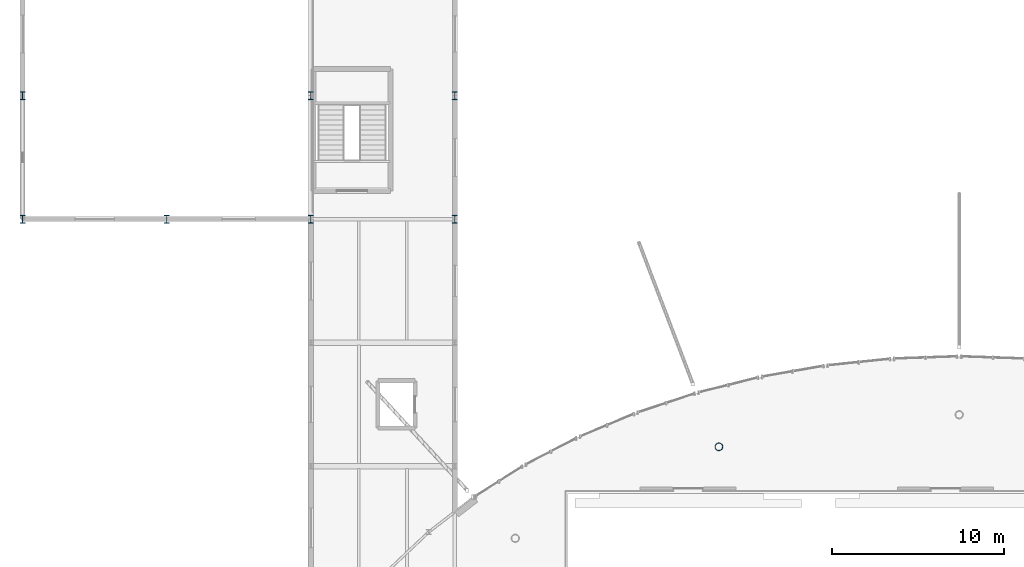
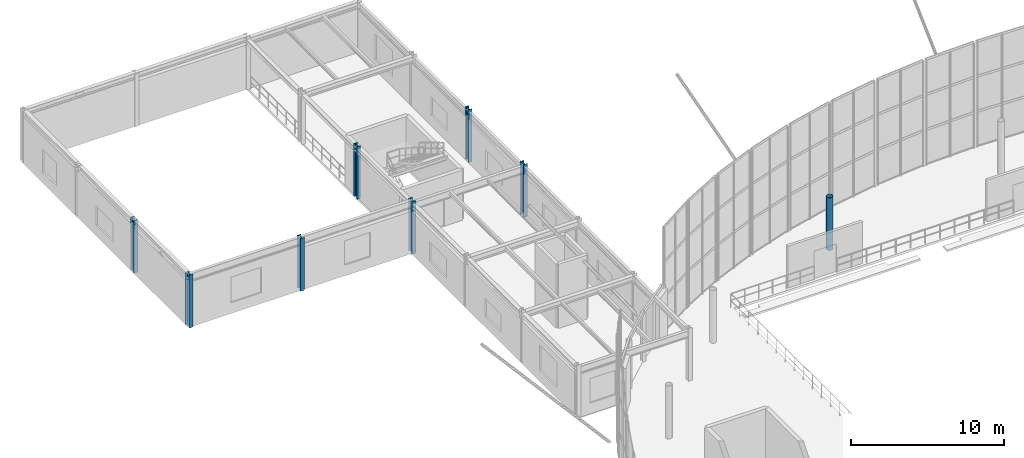
# One storey, part 9 of 109: 8 columns.
"""IFC4 building model written with IfcOpenShell, lengths in metres."""

from ifc_helpers import new_model, si_unit, derived_unit, direction, frame, origin, origin_2d, place, context, subcontext, project, spatial, hollow_circle, i_section, extrude, material, material_profile, profile_set, type_object, element, save


model = new_model("IFC4")

# Units and contexts
model_context = context("Model", 3, precision=1e-05, world=origin(), true_north=direction((0.0, 1.0)))
body_context = subcontext(model_context, "Body", "Model", "MODEL_VIEW")
ifc_project = project(units=[si_unit("LENGTHUNIT", "METRE"), si_unit("AREAUNIT", "SQUARE_METRE"), si_unit("VOLUMEUNIT", "CUBIC_METRE"), si_unit("PLANEANGLEUNIT", "RADIAN"), si_unit("MASSUNIT", "GRAM", prefix="KILO"), derived_unit("THERMALTRANSMITTANCEUNIT", [(si_unit("MASSUNIT", "GRAM", prefix="KILO"), 1), (si_unit("TIMEUNIT", "SECOND"), -3), (si_unit("THERMODYNAMICTEMPERATUREUNIT", "KELVIN"), -1)])], contexts=[model_context])

# Site, building, storey
site_placement = place(None, origin())
site = spatial("IfcSite", under=ifc_project, at=site_placement, CompositionType="ELEMENT")
building_placement = place(site_placement, origin())
building = spatial("IfcBuilding", under=site, at=building_placement, Name="Kharveza Railside Sports Centre", CompositionType="ELEMENT")
storey_placement = place(building_placement, frame((0.0, 0.0, 4.5)))
storey = spatial("IfcBuildingStorey", under=building, at=storey_placement, Name="L01", CompositionType="ELEMENT", Elevation=4.5)

# Columns
ifc_material = material(Name="Steel S355J2", Category="steel")
ifc_material_profile_1 = material_profile(ifc_material, i_section(OverallWidth=0.300048828125, OverallDepth=0.449951171875, WebThickness=0.013916015625, FlangeThickness=0.02587890625, FilletRadius=0.027099609375, at=origin_2d()), Name="HEB 450")
ifc_profile_set_1 = profile_set([ifc_material_profile_1], Name="Steel S355J2")
column_type_1 = type_object("IfcColumnType", Name="COL-S04", PredefinedType="COLUMN", material=ifc_profile_set_1)
for number, where, z_axis, x_axis, name in (
    (1, (0.0, 86.39990234375, 0.0), (0.0, 0.0, 1.0), (1.0, 0.0, 0.0), "COL-G-C04-X0-Y864-L01"),
    (2, (0.0, 93.60009765625, 0.0), (0.0, 0.0, 1.0), (1.0, 0.0, 0.0), "COL-G-C04-X0-Y936-L01"),
    (3, (8.39990234375, 86.39990234375, 0.0), (0.0, 0.0, 1.0), (1.0, 0.0, 0.0), "COL-G-C04-X84-Y864-L01"),
    (4, (16.800048828125, 86.39990234375, 0.0), (0.0, 0.0, 1.0), (1.0, 0.0, 0.0), "COL-G-C04-X168-Y864-L01"),
    (5, (16.800048828125, 93.60009765625, 0.0), (0.0, 0.0, 1.0), (1.0, 0.0, 0.0), "COL-G-C04-X168-Y936-L01"),
    (6, (25.199951171875, 86.39990234375, 0.0), (0.0, 0.0, 1.0), (1.0, 0.0, 0.0), "COL-G-C04-X252-Y864-L01"),
    (7, (25.199951171875, 93.60009765625, 0.0), (0.0, 0.0, 1.0), (1.0, 0.0, 0.0), "COL-G-C04-X252-Y936-L01"),
):
    element("IfcColumn", number, at=place(storey_placement, frame(where, z_axis=z_axis, x_axis=x_axis)), inside=storey, type_object=column_type_1, Name=name, PredefinedType="COLUMN", context=body_context, shape_type="SweptSolid", body=[
        extrude(i_section(OverallWidth=0.300048828125, OverallDepth=0.449951171875, WebThickness=0.013916015625, FlangeThickness=0.02587890625, FilletRadius=0.027099609375, at=origin_2d()), origin(), (0.0, 0.0, 1.0), 4.199951171875),
    ])
ifc_material_profile_2 = material_profile(ifc_material, hollow_circle(Radius=0.228515625, WallThickness=0.02001953125, at=origin_2d()), Name="CHS 457.0x20.0")
ifc_profile_set_2 = profile_set([ifc_material_profile_2], Name="Steel S355J2")
column_type_2 = type_object("IfcColumnType", Name="COL-T01", PredefinedType="COLUMN", material=ifc_profile_set_2)
column_placement = place(storey_placement, frame((40.59375, 73.12744140625, 0.0), z_axis=(0.0, 0.0, 1.0), x_axis=(1.0, 0.0, 0.0)))
element("IfcColumn", 8, at=column_placement, inside=storey, type_object=column_type_2, Name="COL-DRUM-06-L01", PredefinedType="COLUMN", context=body_context, shape_type="SweptSolid", body=[
    extrude(hollow_circle(Radius=0.228515625, WallThickness=0.02001953125, at=origin_2d()), origin(), (0.0, 0.0, 1.0), 4.199951171875),
])

save(model, "model.ifc")
